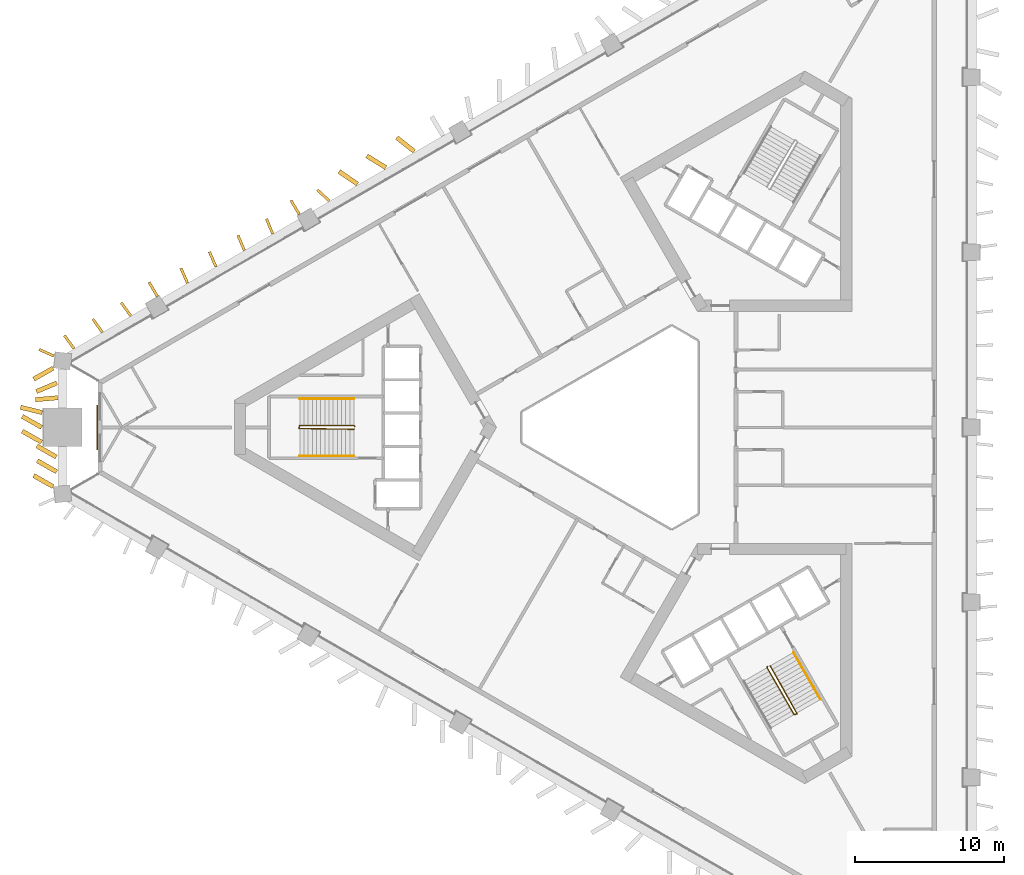
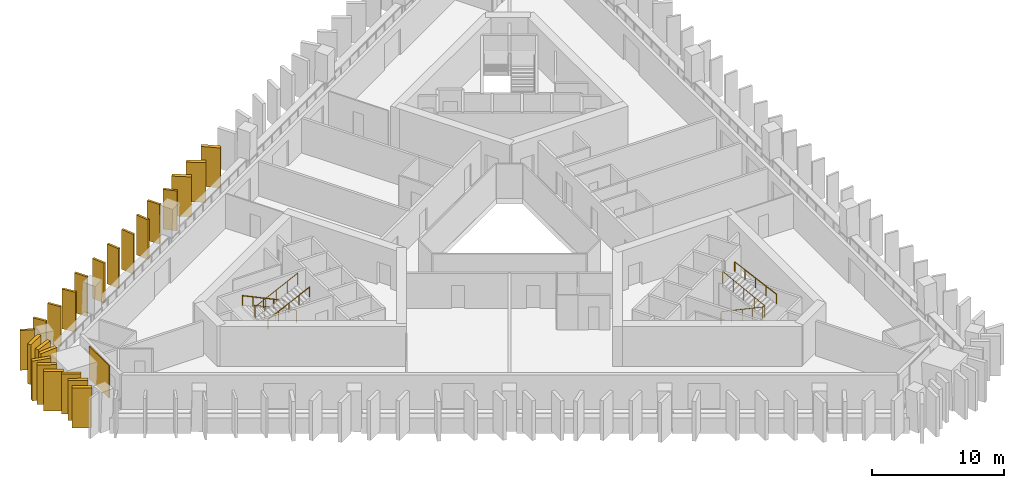
# One storey, part 9 of 11: 23 shading devices, 5 railings, 1 covering.
"""IFC4 building model written with IfcOpenShell, lengths in metres."""

from ifc_helpers import new_model, si_unit, direction, frame, frame_2d, origin, origin_2d, place, context, subcontext, project, spatial, rectangle, circle, extrude, material, layer, layer_set, type_object, element, save


model = new_model("IFC4")

# Units and contexts
model_context = context("Model", 3, precision=1e-05, world=origin(), true_north=direction((0.0, 1.0)))
body_context = subcontext(model_context, "Body", "Model", "MODEL_VIEW")
ifc_project = project(units=[si_unit("LENGTHUNIT", "METRE"), si_unit("AREAUNIT", "SQUARE_METRE"), si_unit("VOLUMEUNIT", "CUBIC_METRE"), si_unit("PLANEANGLEUNIT", "RADIAN"), si_unit("MASSUNIT", "GRAM", prefix="KILO")], contexts=[model_context])

# Site, building, storey
site_placement = place(None, origin())
site = spatial("IfcSite", under=ifc_project, at=site_placement, CompositionType="ELEMENT")
building_placement = place(site_placement, origin())
building = spatial("IfcBuilding", under=site, at=building_placement, Name="Jabali Bay Hotel Tower and Convention Centre", CompositionType="ELEMENT")
storey_placement = place(building_placement, frame((0.0, 0.0, 83.199951171875)))
storey = spatial("IfcBuildingStorey", under=building, at=storey_placement, Name="L19", CompositionType="ELEMENT", Elevation=83.199951171875)

# Shading devices
ifc_material_1 = material(Name="Precast concrete C60", Category="concrete")
ifc_layer_1 = layer(ifc_material_1, 0.179931640625)
ifc_layer_set_1 = layer_set([ifc_layer_1], Name="Precast concrete C60")
shading_device_type_1 = type_object("IfcShadingDeviceType", Name="Precast fin 3680 x 1100", PredefinedType="USERDEFINED", material=ifc_layer_set_1)
shading_device_1_placement = place(storey_placement, frame((54.767333984375, 95.2177734375, 0.010009765625), z_axis=(0.0, 0.0, 1.0), x_axis=(-0.735373346876, 0.677662187749, 0.0)))
element("IfcShadingDevice", 1, at=shading_device_1_placement, inside=storey, type_object=shading_device_type_1, Name="Fin L19 055", ObjectType="FIN", PredefinedType="USERDEFINED", context=body_context, shape_type="SweptSolid", body=[
    extrude(rectangle(XDim=1.099853515625, YDim=0.179931640625, at=frame_2d((0.5498046875, 0.0))), origin(), (0.0, 0.0, 1.0), 3.679931640625),
])
for number, where, z_axis, x_axis, name in (
    (2, (52.743896484375, 94.316650390625, 0.010009765625), (0.0, 0.0, 1.0), (-0.508871363646, 0.860842572867, 0.0), "Fin L19 056"),
    (3, (50.959228515625, 93.001953125, 0.010009765625), (0.0, 0.0, 1.0), (-0.379030293402, 0.925384264337, 0.0), "Fin L19 057"),
):
    element("IfcShadingDevice", number, at=place(storey_placement, frame(where, z_axis=z_axis, x_axis=x_axis)), inside=storey, type_object=shading_device_type_1, Name=name, ObjectType="FIN", PredefinedType="USERDEFINED", context=body_context, shape_type="SweptSolid", body=[
        extrude(rectangle(XDim=1.10009765625, YDim=0.179931640625, at=frame_2d((0.550048828125, 0.0))), origin(), (0.0, 0.0, 1.0), 3.679931640625),
    ])
shading_device_2_placement = place(storey_placement, frame((49.052001953125, 91.899658203125, 0.010009765625), z_axis=(0.0, 0.0, 1.0), x_axis=(-0.391131239312, 0.920334913841, 0.0)))
element("IfcShadingDevice", 4, at=shading_device_2_placement, inside=storey, type_object=shading_device_type_1, Name="Fin L19 058", ObjectType="FIN", PredefinedType="USERDEFINED", context=body_context, shape_type="SweptSolid", body=[
    extrude(rectangle(XDim=1.099853515625, YDim=0.179931640625, at=frame_2d((0.5498046875, 0.0))), origin(), (0.0, 0.0, 1.0), 3.679931640625),
])
shading_device_3_placement = place(storey_placement, frame((47.144775390625, 90.79736328125, 0.010009765625), z_axis=(0.0, 0.0, 1.0), x_axis=(-0.40127285824, 0.915958565242, 0.0)))
element("IfcShadingDevice", 5, at=shading_device_3_placement, inside=storey, type_object=shading_device_type_1, Name="Fin L19 059", ObjectType="FIN", PredefinedType="USERDEFINED", context=body_context, shape_type="SweptSolid", body=[
    extrude(rectangle(XDim=1.10009765625, YDim=0.179931640625, at=frame_2d((0.550048828125, 0.0))), origin(), (0.0, 0.0, 1.0), 3.679931640625),
])
for number, where, z_axis, x_axis, name in (
    (6, (45.2373046875, 89.695556640625, 0.010009765625), (0.0, 0.0, 1.0), (-0.405087864039, 0.914277759988, 0.0), "Fin L19 060"),
    (7, (43.205078125, 88.809326171875, 0.010009765625), (0.0, 0.0, 1.0), (-0.50545741747, 0.862851551035, 0.0), "Fin L19 061"),
):
    element("IfcShadingDevice", number, at=place(storey_placement, frame(where, z_axis=z_axis, x_axis=x_axis)), inside=storey, type_object=shading_device_type_1, Name=name, ObjectType="FIN", PredefinedType="USERDEFINED", context=body_context, shape_type="SweptSolid", body=[
        extrude(rectangle(XDim=1.099853515625, YDim=0.179931640625, at=frame_2d((0.5498046875, 0.0))), origin(), (0.0, 0.0, 1.0), 3.679931640625),
    ])
shading_device_4_placement = place(storey_placement, frame((41.421875, 87.492431640625, 0.010009765625), z_axis=(0.0, 0.0, 1.0), x_axis=(-0.587498449283, 0.809225291306, 0.0)))
element("IfcShadingDevice", 8, at=shading_device_4_placement, inside=storey, type_object=shading_device_type_1, Name="Fin L19 062", ObjectType="FIN", PredefinedType="USERDEFINED", context=body_context, shape_type="SweptSolid", body=[
    extrude(rectangle(XDim=1.10009765625, YDim=0.179931640625, at=frame_2d((0.550048828125, 0.0))), origin(), (0.0, 0.0, 1.0), 3.679931640625),
])
for number, where, z_axis, x_axis, name in (
    (9, (39.513916015625, 86.390869140625, 0.010009765625), (0.0, 0.0, 1.0), (-0.587102143786, 0.809512861394, 0.0), "Fin L19 063"),
    (10, (37.606201171875, 85.28955078125, 0.010009765625), (0.0, 0.0, 1.0), (-0.587102143786, 0.809512861394, 0.0), "Fin L19 064"),
):
    element("IfcShadingDevice", number, at=place(storey_placement, frame(where, z_axis=z_axis, x_axis=x_axis)), inside=storey, type_object=shading_device_type_1, Name=name, ObjectType="FIN", PredefinedType="USERDEFINED", context=body_context, shape_type="SweptSolid", body=[
        extrude(rectangle(XDim=1.099853515625, YDim=0.179931640625, at=frame_2d((0.5498046875, 0.0))), origin(), (0.0, 0.0, 1.0), 3.679931640625),
    ])
shading_device_5_placement = place(storey_placement, frame((36.259521484375, 84.791259765625, 0.010009765625), z_axis=(0.0, 0.0, 1.0), x_axis=(-0.913105421974, 0.407723544037, 0.0)))
element("IfcShadingDevice", 11, at=shading_device_5_placement, inside=storey, type_object=shading_device_type_1, Name="Fin L19 114", ObjectType="FIN", PredefinedType="USERDEFINED", context=body_context, shape_type="SweptSolid", body=[
    extrude(rectangle(XDim=1.10009765625, YDim=0.179931640625, at=frame_2d((0.550048828125, 0.0))), origin(), (0.0, 0.0, 1.0), 3.679931640625),
])
ifc_layer_2 = layer(ifc_material_1, 0.300048828125)
ifc_layer_set_2 = layer_set([ifc_layer_2], Name="Precast concrete C60")
shading_device_type_2 = type_object("IfcShadingDeviceType", Name="Precast fin 3680 x 1500", PredefinedType="USERDEFINED", material=ifc_layer_set_2)
for number, where, z_axis, x_axis, name in (
    (12, (60.476318359375, 98.546875, 0.010009765625), (0.0, 0.0, 1.0), (-0.784870266077, 0.619660120895, 0.0), "Fin L19 052"),
    (13, (58.560791015625, 97.458984375, 0.010009765625), (0.0, 0.0, 1.0), (-0.850947786215, 0.525250288087, 0.0), "Fin L19 053"),
    (14, (56.65625, 96.35205078125, 0.010009765625), (0.0, 0.0, 1.0), (-0.824895829065, 0.565284769997, 0.0), "Fin L19 054"),
    (15, (36.201904296875, 83.97998046875, 0.010009765625), (0.0, 0.0, 1.0), (-0.869831289423, -0.493349296078, 0.0), "Fin L19 065"),
    (16, (36.458740234375, 82.98486328125, 0.010009765625), (0.0, 0.0, 1.0), (-0.923153948977, -0.38443047029, 0.0), "Fin L19 066"),
    (17, (36.50341796875, 81.989990234375, 0.010009765625), (0.0, 0.0, 1.0), (-0.99628625529, -0.086102831081, 0.0), "Fin L19 067"),
    (18, (35.46875, 80.994873046875, 0.010009765625), (0.0, 0.0, 1.0), (-0.971906546517, 0.235367085289, 0.0), "Fin L19 068"),
    (19, (35.429931640625, 80.0, 0.010009765625), (0.0, 0.0, 1.0), (-0.869831289423, 0.493349296078, 0.0), "Fin L19 069"),
    (20, (35.429931640625, 79.005126953125, 0.010009765625), (0.0, 0.0, 1.0), (-0.869831289423, 0.493349296078, 0.0), "Fin L19 070"),
    (21, (36.41650390625, 78.010009765625, 0.010009765625), (0.0, 0.0, 1.0), (-0.869831289423, 0.493349296078, 0.0), "Fin L19 071"),
    (22, (36.4423828125, 77.01513671875, 0.010009765625), (0.0, 0.0, 1.0), (-0.869831289423, 0.493349296078, 0.0), "Fin L19 072"),
    (23, (36.201904296875, 76.02001953125, 0.010009765625), (0.0, 0.0, 1.0), (-0.869831289423, 0.493349296078, 0.0), "Fin L19 073"),
):
    element("IfcShadingDevice", number, at=place(storey_placement, frame(where, z_axis=z_axis, x_axis=x_axis)), inside=storey, type_object=shading_device_type_2, Name=name, ObjectType="FIN", PredefinedType="USERDEFINED", context=body_context, shape_type="SweptSolid", body=[
        extrude(rectangle(XDim=1.5, YDim=0.300048828125, at=frame_2d((0.75, 0.0))), origin(), (0.0, 0.0, 1.0), 3.679931640625),
    ])

# Covering
ifc_material_2 = material(Name="Precast concrete C40/50", Category="concrete")
ifc_layer_3 = layer(ifc_material_2, 0.080078125)
ifc_layer_set_3 = layer_set([ifc_layer_3], Name="Precast concrete C40/50")
covering_type = type_object("IfcCoveringType", Name="Relief panel 3000 x 3000", PredefinedType="CLADDING", material=ifc_layer_set_3)
covering_placement = place(storey_placement, frame((39.163330078125, 80.0, 0.10009765625), z_axis=(0.0, 0.0, 1.0), x_axis=(0.0, 1.0, 0.0)))
element("IfcCovering", 24, at=covering_placement, inside=storey, type_object=covering_type, Name="Relief panel L19", PredefinedType="CLADDING", context=body_context, shape_type="SweptSolid", body=[
    extrude(rectangle(XDim=3.0, YDim=0.080078125, at=origin_2d()), origin(), (0.0, 0.0, 1.0), 3.0),
])

# Railings
ifc_material_3 = material(Name="Steel Q355B", Category="steel")
railing_type_1 = type_object("IfcRailingType", Name="Stair guard 1100", PredefinedType="GUARDRAIL", material=ifc_material_3)
railing_1_placement = place(storey_placement, frame((56.469970703125, 80.074951171875, 0.0)))
element("IfcRailing", 25, at=railing_1_placement, inside=storey, type_object=railing_type_1, Name="L19 ST1 stair guard 1", PredefinedType="GUARDRAIL", context=body_context, shape_type="SweptSolid", body=[
    extrude(circle(Radius=0.02392578125, at=origin_2d()), frame((0.0, 0.0, 1.076171875), z_axis=(-0.333993628408, 0.333993628408, 0.881417331555), x_axis=(-0.707106781187, -0.707106781187, 0.0)), (0.0, 0.0, 1.0), 0.14990234375),
    extrude(circle(Radius=0.02392578125, at=origin_2d()), frame((-0.050048828125, 0.050048828125, 1.2080078125), z_axis=(-0.904327350853, 0.0, 0.426839598092), x_axis=(0.0, -1.0, 0.0)), (0.0, 0.0, 1.0), 4.02490234375),
    extrude(circle(Radius=0.02392578125, at=origin_2d()), frame((-3.68994140625, 0.050048828125, 2.92626953125), z_axis=(-0.242814311512, -0.970072785993, 0.0), x_axis=(0.970072785993, -0.242814311512, 0.0)), (0.0, 0.0, 1.0), 0.2060546875),
    extrude(circle(Radius=0.02392578125, at=origin_2d()), frame((-3.739990234375, -0.14990234375, 2.92626953125), z_axis=(0.893887803671, -0.012124321804, 0.4481267625), x_axis=(0.013562335953, 0.999908027292, 0.0)), (0.0, 0.0, 1.0), 4.1279296875),
    extrude(circle(Radius=0.02099609375, at=origin_2d()), origin(), (0.0, 0.0, 1.0), 1.052001953125),
    extrude(circle(Radius=0.02099609375, at=origin_2d()), frame((-0.050048828125, 0.050048828125, 0.132080078125)), (0.0, 0.0, 1.0), 1.052001953125),
    extrude(circle(Radius=0.02099609375, at=origin_2d()), frame((-0.9599609375, 0.050048828125, 0.5615234375)), (0.0, 0.0, 1.0), 1.052001953125),
    extrude(circle(Radius=0.02099609375, at=origin_2d()), frame((-1.8701171875, 0.050048828125, 0.9912109375)), (0.0, 0.0, 1.0), 1.052001953125),
    extrude(circle(Radius=0.02099609375, at=origin_2d()), frame((-2.780029296875, 0.050048828125, 1.420654296875)), (0.0, 0.0, 1.0), 1.052001953125),
    extrude(circle(Radius=0.02099609375, at=origin_2d()), frame((-3.68994140625, 0.050048828125, 1.85009765625)), (0.0, 0.0, 1.0), 1.052001953125),
    extrude(circle(Radius=0.02099609375, at=origin_2d()), frame((-3.739990234375, -0.14990234375, 1.85009765625)), (0.0, 0.0, 1.0), 1.052001953125),
    extrude(circle(Radius=0.02099609375, at=origin_2d()), frame((-2.8173828125, -0.162353515625, 2.3125)), (0.0, 0.0, 1.0), 1.052001953125),
    extrude(circle(Radius=0.02099609375, at=origin_2d()), frame((-1.89501953125, -0.1748046875, 2.77490234375)), (0.0, 0.0, 1.0), 1.052001953125),
    extrude(circle(Radius=0.02099609375, at=origin_2d()), frame((-0.97265625, -0.1875, 3.237548828125)), (0.0, 0.0, 1.0), 1.052001953125),
    extrude(circle(Radius=0.02099609375, at=origin_2d()), frame((-0.050048828125, -0.199951171875, 3.699951171875)), (0.0, 0.0, 1.0), 1.052001953125),
])
railing_2_placement = place(storey_placement, frame((84.199951171875, 63.9150390625, 0.0)))
element("IfcRailing", 26, at=railing_2_placement, inside=storey, type_object=railing_type_1, Name="L19 ST3 stair guard 1", PredefinedType="GUARDRAIL", context=body_context, shape_type="SweptSolid", body=[
    extrude(circle(Radius=0.02392578125, at=origin_2d()), frame((0.0, 0.0, 1.076171875), z_axis=(-0.122196845461, -0.456201556387, 0.881446578591), x_axis=(0.965948051503, -0.258736085224, 0.0)), (0.0, 0.0, 1.0), 0.14990234375),
    extrude(circle(Radius=0.02392578125, at=origin_2d()), frame((-0.018310546875, -0.068359375, 1.2080078125), z_axis=(0.45217862506, -0.783169739339, 0.426825081763), x_axis=(0.866018046521, 0.500012742938, 0.0)), (0.0, 0.0, 1.0), 4.025146484375),
    extrude(circle(Radius=0.02392578125, at=origin_2d()), frame((1.8017578125, -3.220703125, 2.92626953125), z_axis=(0.96121063429, 0.275815366736, 0.0), x_axis=(-0.275815366736, 0.96121063429, 0.0)), (0.0, 0.0, 1.0), 0.206298828125),
    extrude(circle(Radius=0.02392578125, at=origin_2d()), frame((2.0, -3.163818359375, 2.92626953125), z_axis=(-0.436481798955, 0.780166857725, 0.448133142368), x_axis=(-0.872702246529, -0.488252792008, 0.0)), (0.0, 0.0, 1.0), 4.1279296875),
    extrude(circle(Radius=0.02099609375, at=origin_2d()), origin(), (0.0, 0.0, 1.0), 1.052001953125),
    extrude(circle(Radius=0.02099609375, at=origin_2d()), frame((-0.018310546875, -0.068359375, 0.132080078125)), (0.0, 0.0, 1.0), 1.052001953125),
    extrude(circle(Radius=0.02099609375, at=origin_2d()), frame((0.436767578125, -0.8564453125, 0.5615234375)), (0.0, 0.0, 1.0), 1.052001953125),
    extrude(circle(Radius=0.02099609375, at=origin_2d()), frame((0.8916015625, -1.64453125, 0.9912109375)), (0.0, 0.0, 1.0), 1.052001953125),
    extrude(circle(Radius=0.02099609375, at=origin_2d()), frame((1.3466796875, -2.4326171875, 1.420654296875)), (0.0, 0.0, 1.0), 1.052001953125),
    extrude(circle(Radius=0.02099609375, at=origin_2d()), frame((1.8017578125, -3.220703125, 1.85009765625)), (0.0, 0.0, 1.0), 1.052001953125),
    extrude(circle(Radius=0.02099609375, at=origin_2d()), frame((2.0, -3.163818359375, 1.85009765625)), (0.0, 0.0, 1.0), 1.052001953125),
    extrude(circle(Radius=0.02099609375, at=origin_2d()), frame((1.549560546875, -2.358642578125, 2.3125)), (0.0, 0.0, 1.0), 1.052001953125),
    extrude(circle(Radius=0.02099609375, at=origin_2d()), frame((1.09912109375, -1.5537109375, 2.77490234375)), (0.0, 0.0, 1.0), 1.052001953125),
    extrude(circle(Radius=0.02099609375, at=origin_2d()), frame((0.648681640625, -0.74853515625, 3.237548828125)), (0.0, 0.0, 1.0), 1.052001953125),
    extrude(circle(Radius=0.02099609375, at=origin_2d()), frame((0.1982421875, 0.056640625, 3.699951171875)), (0.0, 0.0, 1.0), 1.052001953125),
])
railing_type_2 = type_object("IfcRailingType", Name="Stair handrail 900", PredefinedType="HANDRAIL", material=ifc_material_3)
railing_3_placement = place(storey_placement, frame((56.419921875, 81.925048828125, 0.132080078125)))
element("IfcRailing", 27, at=railing_3_placement, inside=storey, type_object=railing_type_2, Name="L19 ST1 stair handrail 1", PredefinedType="HANDRAIL", context=body_context, shape_type="SweptSolid", body=[
    extrude(circle(Radius=0.02392578125, at=origin_2d()), frame((0.0, 0.0, 0.8759765625), z_axis=(-0.904327350853, 0.0, 0.426839598092), x_axis=(0.0, -1.0, 0.0)), (0.0, 0.0, 1.0), 4.02490234375),
    extrude(circle(Radius=0.02099609375, at=origin_2d()), origin(), (0.0, 0.0, 1.0), 0.851806640625),
    extrude(circle(Radius=0.02099609375, at=origin_2d()), frame((-0.909912109375, 0.0, 0.429443359375)), (0.0, 0.0, 1.0), 0.851806640625),
    extrude(circle(Radius=0.02099609375, at=origin_2d()), frame((-1.81982421875, 0.0, 0.85888671875)), (0.0, 0.0, 1.0), 0.851806640625),
    extrude(circle(Radius=0.02099609375, at=origin_2d()), frame((-2.72998046875, 0.0, 1.28857421875)), (0.0, 0.0, 1.0), 0.851806640625),
    extrude(circle(Radius=0.02099609375, at=origin_2d()), frame((-3.639892578125, 0.0, 1.718017578125)), (0.0, 0.0, 1.0), 0.851806640625),
])
railing_4_placement = place(storey_placement, frame((52.780029296875, 78.074951171875, 1.982177734375)))
element("IfcRailing", 28, at=railing_4_placement, inside=storey, type_object=railing_type_2, Name="L19 ST1 stair handrail 2", PredefinedType="HANDRAIL", context=body_context, shape_type="SweptSolid", body=[
    extrude(circle(Radius=0.02392578125, at=origin_2d()), frame((0.0, 0.0, 0.8759765625), z_axis=(0.904350763662, 0.0, 0.426789990819), x_axis=(0.0, 1.0, 0.0)), (0.0, 0.0, 1.0), 4.02490234375),
    extrude(circle(Radius=0.02099609375, at=origin_2d()), origin(), (0.0, 0.0, 1.0), 0.851806640625),
    extrude(circle(Radius=0.02099609375, at=origin_2d()), frame((0.909912109375, 0.0, 0.429443359375)), (0.0, 0.0, 1.0), 0.851806640625),
    extrude(circle(Radius=0.02099609375, at=origin_2d()), frame((1.81982421875, 0.0, 0.85888671875)), (0.0, 0.0, 1.0), 0.851806640625),
    extrude(circle(Radius=0.02099609375, at=origin_2d()), frame((2.72998046875, 0.0, 1.288330078125)), (0.0, 0.0, 1.0), 0.851806640625),
    extrude(circle(Radius=0.02099609375, at=origin_2d()), frame((3.639892578125, 0.0, 1.7177734375)), (0.0, 0.0, 1.0), 0.851806640625),
])
railing_5_placement = place(storey_placement, frame((87.777099609375, 61.719482421875, 1.982177734375)))
element("IfcRailing", 29, at=railing_5_placement, inside=storey, type_object=railing_type_2, Name="L19 ST3 stair handrail 2", PredefinedType="HANDRAIL", context=body_context, shape_type="SweptSolid", body=[
    extrude(circle(Radius=0.02392578125, at=origin_2d()), frame((0.0, 0.0, 0.8759765625), z_axis=(-0.452190331055, 0.783190014029, 0.426775475427), x_axis=(-0.866018046521, -0.500012742938, 0.0)), (0.0, 0.0, 1.0), 4.02490234375),
    extrude(circle(Radius=0.02099609375, at=origin_2d()), origin(), (0.0, 0.0, 1.0), 0.851806640625),
    extrude(circle(Radius=0.02099609375, at=origin_2d()), frame((-0.455078125, 0.7880859375, 0.429443359375)), (0.0, 0.0, 1.0), 0.851806640625),
    extrude(circle(Radius=0.02099609375, at=origin_2d()), frame((-0.91015625, 1.576171875, 0.85888671875)), (0.0, 0.0, 1.0), 0.851806640625),
    extrude(circle(Radius=0.02099609375, at=origin_2d()), frame((-1.364990234375, 2.3642578125, 1.288330078125)), (0.0, 0.0, 1.0), 0.851806640625),
    extrude(circle(Radius=0.02099609375, at=origin_2d()), frame((-1.820068359375, 3.15234375, 1.7177734375)), (0.0, 0.0, 1.0), 0.851806640625),
])

save(model, "model.ifc")
